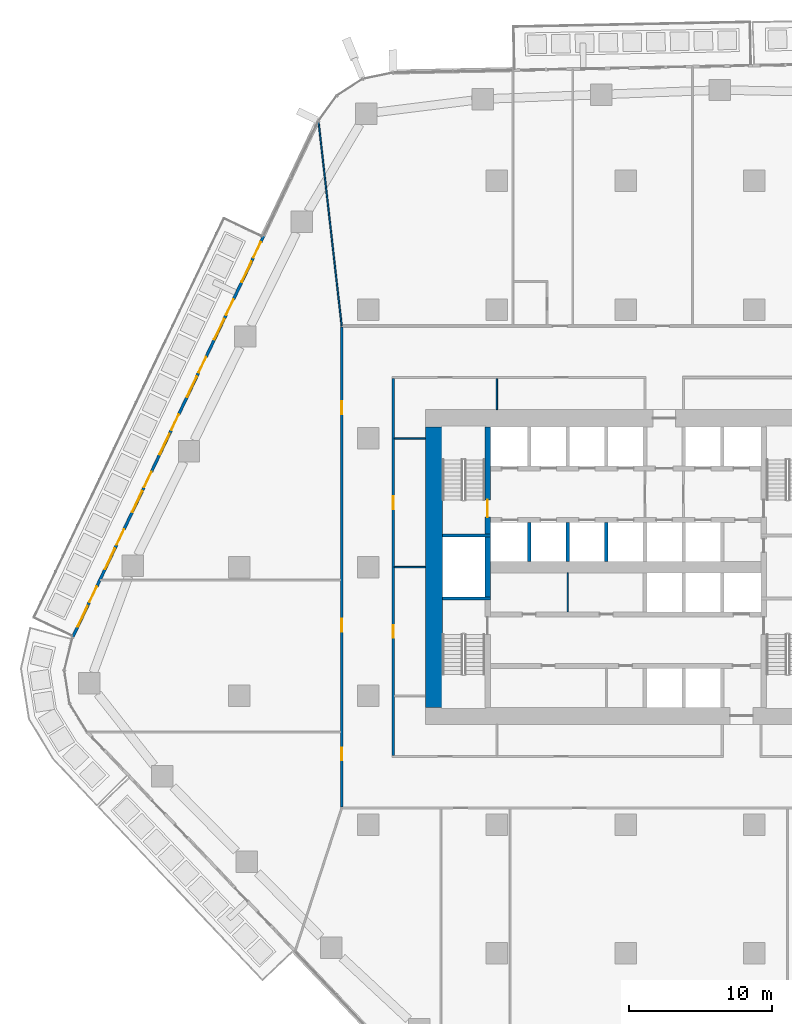
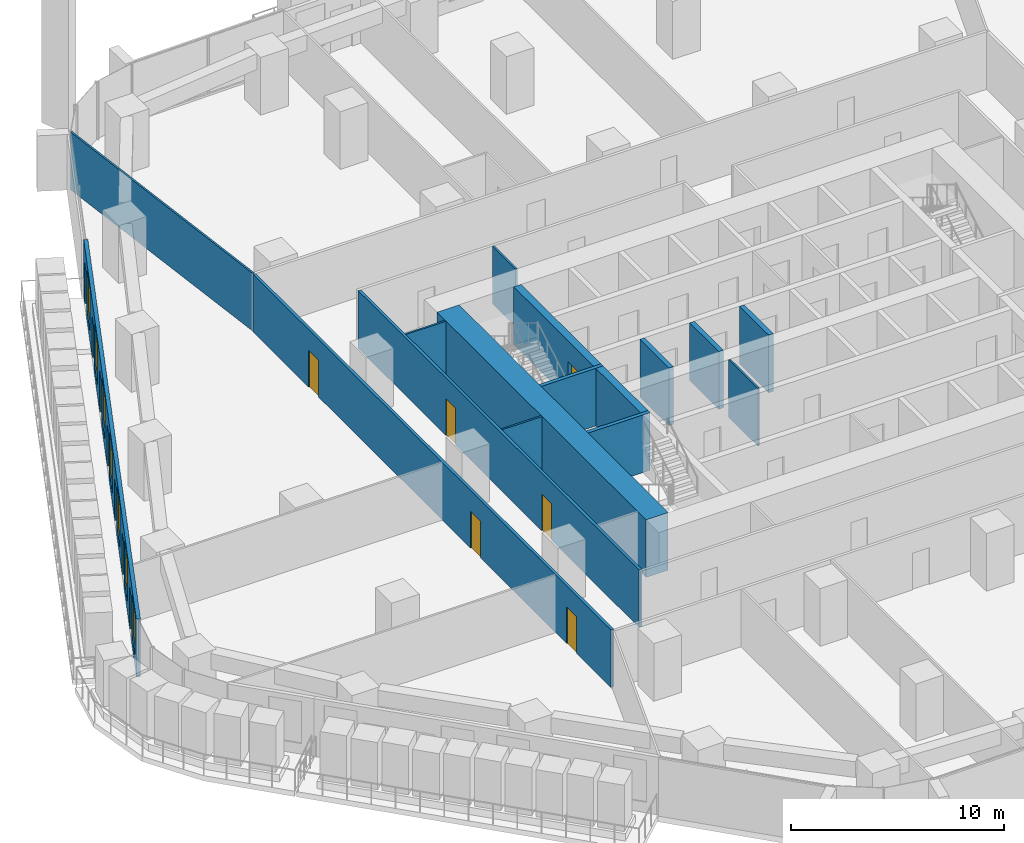
# One storey, part 13 of 24: 16 walls, 13 doors, 7 windows, 20 openings.
"""IFC4 building model written with IfcOpenShell, lengths in metres."""

from ifc_helpers import new_model, si_unit, direction, frame, frame_2d, origin, place, context, subcontext, project, spatial, rectangle, extrude, material, layer, layer_set, type_object, element, fill, save


model = new_model("IFC4")

# Units and contexts
model_context = context("Model", 3, precision=1e-05, world=origin(), true_north=direction((0.0, 1.0)))
body_context = subcontext(model_context, "Body", "Model", "MODEL_VIEW")
ifc_project = project(units=[si_unit("LENGTHUNIT", "METRE"), si_unit("AREAUNIT", "SQUARE_METRE"), si_unit("VOLUMEUNIT", "CUBIC_METRE"), si_unit("PLANEANGLEUNIT", "RADIAN"), si_unit("MASSUNIT", "GRAM", prefix="KILO")], contexts=[model_context])

# Site, building, storey
site_placement = place(None, origin())
site = spatial("IfcSite", under=ifc_project, at=site_placement, CompositionType="ELEMENT")
building_placement = place(site_placement, origin())
building = spatial("IfcBuilding", under=site, at=building_placement, Name="Dongbaek Canopy Tower", CompositionType="ELEMENT")
storey_placement = place(building_placement, frame((0.0, 0.0, 44.0)))
storey = spatial("IfcBuildingStorey", under=building, at=storey_placement, Name="L06", CompositionType="ELEMENT", Elevation=44.0)

# Wall
ifc_material_1 = material(Name="Concrete C60/75", Category="concrete")
ifc_layer_1 = layer(ifc_material_1, 1.199951171875)
ifc_layer_set_1 = layer_set([ifc_layer_1], Name="Core outer wall 1200 Concrete C60/75")
wall_type_1 = type_object("IfcWallType", Name="Core outer wall 1200 Concrete C60/75", PredefinedType="SHEAR", material=ifc_layer_set_1)
wall_1_placement = place(storey_placement, frame((-13.39990234375, -9.800048828125, 0.0), z_axis=(0.0, 0.0, 1.0), x_axis=(0.0, 1.0, 0.0)))
element("IfcWall", 1, at=wall_1_placement, inside=storey, type_object=wall_type_1, Name="Core wall", PredefinedType="SHEAR", context=body_context, shape_type="SweptSolid", body=[
    extrude(rectangle(XDim=19.60009765625, YDim=1.199951171875, at=frame_2d((9.800048828125, 0.0))), origin(), (0.0, 0.0, 1.0), 3.300048828125),
])

# Wall, openings, doors
ifc_material_2 = material(Name="Gypsum board partition, steel stud, 2 x 15 mm fire board", Category="steel")
ifc_layer_2 = layer(ifc_material_2, 0.14990234375)
ifc_layer_set_2 = layer_set([ifc_layer_2], Name="Fire-rated partition 150 gypsum board")
wall_type_2 = type_object("IfcWallType", Name="Fire-rated partition 150 gypsum board", PredefinedType="PARTITIONING", material=ifc_layer_set_2)
wall_2_placement = place(storey_placement, frame((-16.25, 13.175048828125, 0.0), z_axis=(0.0, 0.0, 1.0), x_axis=(0.0, -1.0, 0.0)))
wall_2 = element("IfcWall", 2, at=wall_2_placement, inside=storey, type_object=wall_type_2, Name="Corridor partition", PredefinedType="PARTITIONING", context=body_context, shape_type="SweptSolid", body=[
    extrude(rectangle(XDim=26.35009765625, YDim=0.14990234375, at=frame_2d((13.175048828125, 0.0))), origin(), (0.0, 0.0, 1.0), 3.300048828125),
])
opening_1_placement = place(wall_2_placement, frame((17.22509765625, 0.0, 0.0)))
opening_1 = element("IfcOpeningElement", 3, at=opening_1_placement, cuts=wall_2, Name="Opening L06-D018", PredefinedType="OPENING", context=body_context, shape_type="SweptSolid", body=[
    extrude(rectangle(XDim=0.89990234375, YDim=2.10009765625, at=frame_2d((0.449951171875, 1.050048828125))), frame((0.0, 0.0849609375, 0.0), z_axis=(0.0, -1.0, 0.0), x_axis=(1.0, 0.0, 0.0)), (0.0, 0.0, 1.0), 0.169921875),
])
opening_2_placement = place(wall_2_placement, frame((8.22509765625, 0.0, 0.0)))
opening_2 = element("IfcOpeningElement", 4, at=opening_2_placement, cuts=wall_2, Name="Opening L06-D026", PredefinedType="OPENING", context=body_context, shape_type="SweptSolid", body=[
    extrude(rectangle(XDim=0.89990234375, YDim=2.10009765625, at=frame_2d((0.449951171875, 1.050048828125))), frame((0.0, 0.0849609375, 0.0), z_axis=(0.0, -1.0, 0.0), x_axis=(1.0, 0.0, 0.0)), (0.0, 0.0, 1.0), 0.169921875),
])
ifc_material_3 = material(Name="Timber veneered door leaf", Category="wood")
door_type_1 = type_object("IfcDoorType", Name="Room door 900 x 2100", OperationType="SINGLE_SWING_LEFT", PredefinedType="DOOR", material=ifc_material_3)
door_1_placement = place(opening_1_placement, origin())
door_1 = element("IfcDoor", 5, at=door_1_placement, inside=storey, type_object=door_type_1, Name="Door L06-D018", OperationType="SINGLE_SWING_RIGHT", OverallHeight=2.10009765625, OverallWidth=0.89990234375, PredefinedType="DOOR", context=body_context, shape_type="SweptSolid", body=[
    extrude(rectangle(XDim=0.89990234375, YDim=2.10009765625, at=frame_2d((0.449951171875, 1.050048828125))), frame((0.0, 0.02490234375, 0.0), z_axis=(0.0, -1.0, 0.0), x_axis=(1.0, 0.0, 0.0)), (0.0, 0.0, 1.0), 0.050048828125),
])
fill(opening_1, door_1)
door_2_placement = place(opening_2_placement, origin())
door_2 = element("IfcDoor", 6, at=door_2_placement, inside=storey, type_object=door_type_1, Name="Door L06-D026", OperationType="SINGLE_SWING_RIGHT", OverallHeight=2.10009765625, OverallWidth=0.89990234375, PredefinedType="DOOR", context=body_context, shape_type="SweptSolid", body=[
    extrude(rectangle(XDim=0.89990234375, YDim=2.10009765625, at=frame_2d((0.449951171875, 1.050048828125))), frame((0.0, 0.02490234375, 0.0), z_axis=(0.0, -1.0, 0.0), x_axis=(1.0, 0.0, 0.0)), (0.0, 0.0, 1.0), 0.050048828125),
])
fill(opening_2, door_2)

wall_3_placement = place(storey_placement, frame((-19.85009765625, -16.77490234375, 0.0), z_axis=(0.0, 0.0, 1.0), x_axis=(0.0, 1.0, 0.0)))
wall_3 = element("IfcWall", 7, at=wall_3_placement, inside=storey, type_object=wall_type_2, Name="Corridor partition", PredefinedType="PARTITIONING", context=body_context, shape_type="SweptSolid", body=[
    extrude(rectangle(XDim=33.5498046875, YDim=0.14990234375, at=frame_2d((16.77490234375, 0.0))), origin(), (0.0, 0.0, 1.0), 3.300048828125),
])
opening_3_placement = place(wall_3_placement, frame((12.256103515625, 0.0, 0.0)))
opening_3 = element("IfcOpeningElement", 8, at=opening_3_placement, cuts=wall_3, Name="Opening L06-D001", PredefinedType="OPENING", context=body_context, shape_type="SweptSolid", body=[
    extrude(rectangle(XDim=0.89990234375, YDim=2.10009765625, at=frame_2d((0.449951171875, 1.050048828125))), frame((0.0, 0.0849609375, 0.0), z_axis=(0.0, -1.0, 0.0), x_axis=(1.0, 0.0, 0.0)), (0.0, 0.0, 1.0), 0.169921875),
])
opening_4_placement = place(wall_3_placement, frame((3.25439453125, 0.0, 0.0)))
opening_4 = element("IfcOpeningElement", 9, at=opening_4_placement, cuts=wall_3, Name="Opening L06-D002", PredefinedType="OPENING", context=body_context, shape_type="SweptSolid", body=[
    extrude(rectangle(XDim=0.89990234375, YDim=2.10009765625, at=frame_2d((0.449951171875, 1.050048828125))), frame((0.0, 0.0849609375, 0.0), z_axis=(0.0, -1.0, 0.0), x_axis=(1.0, 0.0, 0.0)), (0.0, 0.0, 1.0), 0.169921875),
])
opening_5_placement = place(wall_3_placement, frame((27.45068359375, 0.0, 0.0)))
opening_5 = element("IfcOpeningElement", 10, at=opening_5_placement, cuts=wall_3, Name="Opening L06-D017", PredefinedType="OPENING", context=body_context, shape_type="SweptSolid", body=[
    extrude(rectangle(XDim=0.89990234375, YDim=2.10009765625, at=frame_2d((0.449951171875, 1.050048828125))), frame((0.0, 0.0849609375, 0.0), z_axis=(0.0, -1.0, 0.0), x_axis=(1.0, 0.0, 0.0)), (0.0, 0.0, 1.0), 0.169921875),
])
door_3_placement = place(opening_3_placement, origin())
door_3 = element("IfcDoor", 11, at=door_3_placement, inside=storey, type_object=door_type_1, Name="Door L06-D001", OperationType="SINGLE_SWING_RIGHT", OverallHeight=2.10009765625, OverallWidth=0.89990234375, PredefinedType="DOOR", context=body_context, shape_type="SweptSolid", body=[
    extrude(rectangle(XDim=0.89990234375, YDim=2.10009765625, at=frame_2d((0.449951171875, 1.050048828125))), frame((0.0, 0.02490234375, 0.0), z_axis=(0.0, -1.0, 0.0), x_axis=(1.0, 0.0, 0.0)), (0.0, 0.0, 1.0), 0.050048828125),
])
fill(opening_3, door_3)
door_4_placement = place(opening_4_placement, origin())
door_4 = element("IfcDoor", 12, at=door_4_placement, inside=storey, type_object=door_type_1, Name="Door L06-D002", OperationType="SINGLE_SWING_LEFT", OverallHeight=2.10009765625, OverallWidth=0.89990234375, PredefinedType="DOOR", context=body_context, shape_type="SweptSolid", body=[
    extrude(rectangle(XDim=0.89990234375, YDim=2.10009765625, at=frame_2d((0.449951171875, 1.050048828125))), frame((0.0, 0.02490234375, 0.0), z_axis=(0.0, -1.0, 0.0), x_axis=(1.0, 0.0, 0.0)), (0.0, 0.0, 1.0), 0.050048828125),
])
fill(opening_4, door_4)
door_5_placement = place(opening_5_placement, origin())
door_5 = element("IfcDoor", 13, at=door_5_placement, inside=storey, type_object=door_type_1, Name="Door L06-D017", OperationType="SINGLE_SWING_LEFT", OverallHeight=2.10009765625, OverallWidth=0.89990234375, PredefinedType="DOOR", context=body_context, shape_type="SweptSolid", body=[
    extrude(rectangle(XDim=0.89990234375, YDim=2.10009765625, at=frame_2d((0.449951171875, 1.050048828125))), frame((0.0, 0.02490234375, 0.0), z_axis=(0.0, -1.0, 0.0), x_axis=(1.0, 0.0, 0.0)), (0.0, 0.0, 1.0), 0.050048828125),
])
fill(opening_5, door_5)

# Walls
ifc_material_4 = material(Name="Concrete C40/50", Category="concrete")
ifc_layer_3 = layer(ifc_material_4, 0.25)
ifc_layer_set_3 = layer_set([ifc_layer_3], Name="Lift shaft wall 250 Concrete C40/50")
wall_type_3 = type_object("IfcWallType", Name="Lift shaft wall 250 Concrete C40/50", PredefinedType="SOLIDWALL", material=ifc_layer_set_3)
for number, where, z_axis, x_axis, name in (
    (14, (-1.35009765625, 0.39990234375, 0.0), (0.0, 0.0, 1.0), (0.0, 1.0, 0.0), "Lift shaft wall"),
    (15, (-4.050048828125, 0.39990234375, 0.0), (0.0, 0.0, 1.0), (0.0, 1.0, 0.0), "Lift shaft wall"),
    (16, (-6.75, 0.39990234375, 0.0), (0.0, 0.0, 1.0), (0.0, 1.0, 0.0), "Lift shaft wall"),
):
    element("IfcWall", number, at=place(storey_placement, frame(where, z_axis=z_axis, x_axis=x_axis)), inside=storey, type_object=wall_type_3, Name=name, PredefinedType="SOLIDWALL", context=body_context, shape_type="SweptSolid", body=[
        extrude(rectangle(XDim=2.72509765625, YDim=0.25, at=frame_2d((1.362548828125, 0.0))), origin(), (0.0, 0.0, 1.0), 3.300048828125),
    ])
ifc_material_5 = material(Name="Gypsum board partition, steel stud, 2 x 12.5 mm board", Category="steel")
ifc_layer_4 = layer(ifc_material_5, 0.10009765625)
ifc_layer_set_4 = layer_set([ifc_layer_4], Name="Partition 100 gypsum board")
wall_type_4 = type_object("IfcWallType", Name="Partition 100 gypsum board", PredefinedType="PARTITIONING", material=ifc_layer_set_4)
for number, where, z_axis, x_axis, name in (
    (17, (-16.175048828125, 0.0, 0.0), (0.0, 0.0, 1.0), (1.0, 0.0, 0.0), "Partition"),
    (18, (-16.175048828125, 9.0, 0.0), (0.0, 0.0, 1.0), (1.0, 0.0, 0.0), "Partition"),
    (19, (-9.0, 11.0, 0.0), (0.0, 0.0, 1.0), (0.0, 1.0, 0.0), "Partition"),
):
    element("IfcWall", number, at=place(storey_placement, frame(where, z_axis=z_axis, x_axis=x_axis)), inside=storey, type_object=wall_type_4, Name=name, PredefinedType="PARTITIONING", context=body_context, shape_type="SweptSolid", body=[
        extrude(rectangle(XDim=2.175048828125, YDim=0.10009765625, at=frame_2d((1.08740234375, 0.0))), origin(), (0.0, 0.0, 1.0), 3.300048828125),
    ])
wall_4_placement = place(storey_placement, frame((-21.47216796875, 31.153076171875, 0.0), z_axis=(0.0, 0.0, 1.0), x_axis=(0.112685540228, -0.993630700524, 0.0)))
element("IfcWall", 20, at=wall_4_placement, inside=storey, type_object=wall_type_4, Name="Partition", PredefinedType="PARTITIONING", context=body_context, shape_type="SweptSolid", body=[
    extrude(rectangle(XDim=14.394775390625, YDim=0.10009765625, at=frame_2d((7.197265625, 0.0))), origin(), (0.0, 0.0, 1.0), 3.300048828125),
])
wall_5_placement = place(storey_placement, frame((-4.050048828125, -3.125, 0.0), z_axis=(0.0, 0.0, 1.0), x_axis=(0.0, 1.0, 0.0)))
element("IfcWall", 21, at=wall_5_placement, inside=storey, type_object=wall_type_4, Name="Core partition", PredefinedType="PARTITIONING", context=body_context, shape_type="SweptSolid", body=[
    extrude(rectangle(XDim=2.72509765625, YDim=0.10009765625, at=frame_2d((1.362548828125, 0.0))), origin(), (0.0, 0.0, 1.0), 3.300048828125),
])
ifc_material_6 = material(Name="Concrete C60/75", Category="concrete")
ifc_layer_5 = layer(ifc_material_6, 0.199951171875)
ifc_layer_set_5 = layer_set([ifc_layer_5], Name="Riser wall 200 Concrete C60/75")
wall_type_5 = type_object("IfcWallType", Name="Riser wall 200 Concrete C60/75", PredefinedType="SHEAR", material=ifc_layer_set_5)
for number, where, z_axis, x_axis, name in (
    (22, (-9.449951171875, 2.199951171875, 0.0), (0.0, 0.0, 1.0), (-1.0, 0.0, 0.0), "Riser wall"),
    (23, (-9.449951171875, -2.199951171875, 0.0), (0.0, 0.0, 1.0), (-1.0, 0.0, 0.0), "Riser wall"),
):
    element("IfcWall", number, at=place(storey_placement, frame(where, z_axis=z_axis, x_axis=x_axis)), inside=storey, type_object=wall_type_5, Name=name, PredefinedType="SHEAR", context=body_context, shape_type="SweptSolid", body=[
        extrude(rectangle(XDim=3.35009765625, YDim=0.199951171875, at=frame_2d((1.675048828125, 0.0))), origin(), (0.0, 0.0, 1.0), 3.300048828125),
    ])
ifc_material_7 = material(Name="Concrete C60/75", Category="concrete")
ifc_layer_6 = layer(ifc_material_7, 0.39990234375)
ifc_layer_set_6 = layer_set([ifc_layer_6], Name="Stair wall 400 Concrete C60/75")
wall_type_6 = type_object("IfcWallType", Name="Stair wall 400 Concrete C60/75", PredefinedType="SHEAR", material=ifc_layer_set_6)
wall_6_placement = place(storey_placement, frame((-9.64990234375, -2.10009765625, 0.0), z_axis=(0.0, 0.0, 1.0), x_axis=(0.0, 1.0, 0.0)))
element("IfcWall", 24, at=wall_6_placement, inside=storey, type_object=wall_type_6, Name="Stair wall", PredefinedType="SHEAR", context=body_context, shape_type="SweptSolid", body=[
    extrude(rectangle(XDim=4.2001953125, YDim=0.39990234375, at=frame_2d((2.10009765625, 0.0))), origin(), (0.0, 0.0, 1.0), 3.300048828125),
])

# Wall, opening, door
wall_7_placement = place(storey_placement, frame((-9.64990234375, 2.300048828125, 0.0), z_axis=(0.0, 0.0, 1.0), x_axis=(0.0, 1.0, 0.0)))
wall_7 = element("IfcWall", 25, at=wall_7_placement, inside=storey, type_object=wall_type_6, Name="Stair wall", PredefinedType="SHEAR", context=body_context, shape_type="SweptSolid", body=[
    extrude(rectangle(XDim=7.5, YDim=0.39990234375, at=frame_2d((3.75, 0.0))), origin(), (0.0, 0.0, 1.0), 3.300048828125),
])
opening_6_placement = place(wall_7_placement, frame((1.199951171875, 0.0, 0.0)))
opening_6 = element("IfcOpeningElement", 26, at=opening_6_placement, cuts=wall_7, Name="Opening L06-D051", PredefinedType="OPENING", context=body_context, shape_type="SweptSolid", body=[
    extrude(rectangle(XDim=1.199951171875, YDim=2.10009765625, at=frame_2d((0.60009765625, 1.050048828125))), frame((0.0, 0.2099609375, 0.0), z_axis=(0.0, -1.0, 0.0), x_axis=(1.0, 0.0, 0.0)), (0.0, 0.0, 1.0), 0.419921875),
])
ifc_material_8 = material(Name="Steel", Category="steel")
door_type_2 = type_object("IfcDoorType", Name="Stair door 1200 x 2100", OperationType="SINGLE_SWING_LEFT", PredefinedType="DOOR", material=ifc_material_8)
door_6_placement = place(opening_6_placement, origin())
door_6 = element("IfcDoor", 27, at=door_6_placement, inside=storey, type_object=door_type_2, Name="Stair C door", OperationType="SINGLE_SWING_RIGHT", OverallHeight=2.10009765625, OverallWidth=1.199951171875, PredefinedType="DOOR", context=body_context, shape_type="SweptSolid", body=[
    extrude(rectangle(XDim=1.199951171875, YDim=2.10009765625, at=frame_2d((0.60009765625, 1.050048828125))), frame((0.0, 0.02490234375, 0.0), z_axis=(0.0, -1.0, 0.0), x_axis=(1.0, 0.0, 0.0)), (0.0, 0.0, 1.0), 0.050048828125),
])
fill(opening_6, door_6)

# Wall, openings, doors, windows
ifc_material_9 = material(Name="Aluminium window wall", Category="aluminium")
ifc_layer_7 = layer(ifc_material_9, 0.199951171875)
ifc_layer_set_7 = layer_set([ifc_layer_7], Name="Window wall 200")
wall_type_7 = type_object("IfcWallType", Name="Window wall 200", PredefinedType="SOLIDWALL", material=ifc_layer_set_7)
wall_8_placement = place(storey_placement, frame((-25.294677734375, 23.16796875, 0.0), z_axis=(0.0, 0.0, 1.0), x_axis=(-0.429791665344, -0.902928083737, 0.0)))
wall_8 = element("IfcWall", 28, at=wall_8_placement, inside=storey, type_object=wall_type_7, Name="Window wall L06 2", PredefinedType="SOLIDWALL", context=body_context, shape_type="SweptSolid", body=[
    extrude(rectangle(XDim=31.11962890625, YDim=0.199951171875, at=frame_2d((15.559814453125, 0.0))), origin(), (0.0, 0.0, 1.0), 3.300048828125),
])
opening_7_placement = place(wall_8_placement, frame((2.0, 0.0, 0.60009765625)))
opening_7 = element("IfcOpeningElement", 29, at=opening_7_placement, cuts=wall_8, Name="Opening W1", PredefinedType="OPENING", context=body_context, shape_type="SweptSolid", body=[
    extrude(rectangle(XDim=1.60009765625, YDim=2.39990234375, at=frame_2d((0.800048828125, 1.199951171875))), frame((0.0, 0.10986328125, 0.0), z_axis=(0.0, -1.0, 0.0), x_axis=(1.0, 0.0, 0.0)), (0.0, 0.0, 1.0), 0.219970703125),
])
opening_8_placement = place(wall_8_placement, frame((0.5, 0.0, 0.0)))
opening_8 = element("IfcOpeningElement", 30, at=opening_8_placement, cuts=wall_8, Name="Opening L06-B06", PredefinedType="OPENING", context=body_context, shape_type="SweptSolid", body=[
    extrude(rectangle(XDim=1.199951171875, YDim=2.39990234375, at=frame_2d((0.60009765625, 1.199951171875))), frame((0.0, 0.10986328125, 0.0), z_axis=(0.0, -1.0, 0.0), x_axis=(1.0, 0.0, 0.0)), (0.0, 0.0, 1.0), 0.219970703125),
])
opening_9_placement = place(wall_8_placement, frame((6.44580078125, 0.0, 0.60009765625)))
opening_9 = element("IfcOpeningElement", 31, at=opening_9_placement, cuts=wall_8, Name="Opening W1", PredefinedType="OPENING", context=body_context, shape_type="SweptSolid", body=[
    extrude(rectangle(XDim=1.60009765625, YDim=2.39990234375, at=frame_2d((0.800048828125, 1.199951171875))), frame((0.0, 0.10986328125, 0.0), z_axis=(0.0, -1.0, 0.0), x_axis=(1.0, 0.0, 0.0)), (0.0, 0.0, 1.0), 0.219970703125),
])
opening_10_placement = place(wall_8_placement, frame((4.94580078125, 0.0, 0.0)))
opening_10 = element("IfcOpeningElement", 32, at=opening_10_placement, cuts=wall_8, Name="Opening L06-B07", PredefinedType="OPENING", context=body_context, shape_type="SweptSolid", body=[
    extrude(rectangle(XDim=1.199951171875, YDim=2.39990234375, at=frame_2d((0.60009765625, 1.199951171875))), frame((0.0, 0.10986328125, 0.0), z_axis=(0.0, -1.0, 0.0), x_axis=(1.0, 0.0, 0.0)), (0.0, 0.0, 1.0), 0.219970703125),
])
opening_11_placement = place(wall_8_placement, frame((10.891357421875, 0.0, 0.60009765625)))
opening_11 = element("IfcOpeningElement", 33, at=opening_11_placement, cuts=wall_8, Name="Opening W1", PredefinedType="OPENING", context=body_context, shape_type="SweptSolid", body=[
    extrude(rectangle(XDim=1.60009765625, YDim=2.39990234375, at=frame_2d((0.800048828125, 1.199951171875))), frame((0.0, 0.10986328125, 0.0), z_axis=(0.0, -1.0, 0.0), x_axis=(1.0, 0.0, 0.0)), (0.0, 0.0, 1.0), 0.219970703125),
])
opening_12_placement = place(wall_8_placement, frame((9.391357421875, 0.0, 0.0)))
opening_12 = element("IfcOpeningElement", 34, at=opening_12_placement, cuts=wall_8, Name="Opening L06-B08", PredefinedType="OPENING", context=body_context, shape_type="SweptSolid", body=[
    extrude(rectangle(XDim=1.199951171875, YDim=2.39990234375, at=frame_2d((0.60009765625, 1.199951171875))), frame((0.0, 0.10986328125, 0.0), z_axis=(0.0, -1.0, 0.0), x_axis=(1.0, 0.0, 0.0)), (0.0, 0.0, 1.0), 0.219970703125),
])
opening_13_placement = place(wall_8_placement, frame((15.337158203125, 0.0, 0.60009765625)))
opening_13 = element("IfcOpeningElement", 35, at=opening_13_placement, cuts=wall_8, Name="Opening W1", PredefinedType="OPENING", context=body_context, shape_type="SweptSolid", body=[
    extrude(rectangle(XDim=1.60009765625, YDim=2.39990234375, at=frame_2d((0.800048828125, 1.199951171875))), frame((0.0, 0.10986328125, 0.0), z_axis=(0.0, -1.0, 0.0), x_axis=(1.0, 0.0, 0.0)), (0.0, 0.0, 1.0), 0.219970703125),
])
opening_14_placement = place(wall_8_placement, frame((13.837158203125, 0.0, 0.0)))
opening_14 = element("IfcOpeningElement", 36, at=opening_14_placement, cuts=wall_8, Name="Opening L06-B09", PredefinedType="OPENING", context=body_context, shape_type="SweptSolid", body=[
    extrude(rectangle(XDim=1.199951171875, YDim=2.39990234375, at=frame_2d((0.60009765625, 1.199951171875))), frame((0.0, 0.10986328125, 0.0), z_axis=(0.0, -1.0, 0.0), x_axis=(1.0, 0.0, 0.0)), (0.0, 0.0, 1.0), 0.219970703125),
])
opening_15_placement = place(wall_8_placement, frame((19.78271484375, 0.0, 0.60009765625)))
opening_15 = element("IfcOpeningElement", 37, at=opening_15_placement, cuts=wall_8, Name="Opening W1", PredefinedType="OPENING", context=body_context, shape_type="SweptSolid", body=[
    extrude(rectangle(XDim=1.60009765625, YDim=2.39990234375, at=frame_2d((0.800048828125, 1.199951171875))), frame((0.0, 0.10986328125, 0.0), z_axis=(0.0, -1.0, 0.0), x_axis=(1.0, 0.0, 0.0)), (0.0, 0.0, 1.0), 0.219970703125),
])
opening_16_placement = place(wall_8_placement, frame((18.28271484375, 0.0, 0.0)))
opening_16 = element("IfcOpeningElement", 38, at=opening_16_placement, cuts=wall_8, Name="Opening L06-B10", PredefinedType="OPENING", context=body_context, shape_type="SweptSolid", body=[
    extrude(rectangle(XDim=1.199951171875, YDim=2.39990234375, at=frame_2d((0.60009765625, 1.199951171875))), frame((0.0, 0.10986328125, 0.0), z_axis=(0.0, -1.0, 0.0), x_axis=(1.0, 0.0, 0.0)), (0.0, 0.0, 1.0), 0.219970703125),
])
opening_17_placement = place(wall_8_placement, frame((24.228515625, 0.0, 0.60009765625)))
opening_17 = element("IfcOpeningElement", 39, at=opening_17_placement, cuts=wall_8, Name="Opening W1", PredefinedType="OPENING", context=body_context, shape_type="SweptSolid", body=[
    extrude(rectangle(XDim=1.60009765625, YDim=2.39990234375, at=frame_2d((0.800048828125, 1.199951171875))), frame((0.0, 0.10986328125, 0.0), z_axis=(0.0, -1.0, 0.0), x_axis=(1.0, 0.0, 0.0)), (0.0, 0.0, 1.0), 0.219970703125),
])
opening_18_placement = place(wall_8_placement, frame((22.728515625, 0.0, 0.0)))
opening_18 = element("IfcOpeningElement", 40, at=opening_18_placement, cuts=wall_8, Name="Opening L06-B11", PredefinedType="OPENING", context=body_context, shape_type="SweptSolid", body=[
    extrude(rectangle(XDim=1.199951171875, YDim=2.39990234375, at=frame_2d((0.60009765625, 1.199951171875))), frame((0.0, 0.10986328125, 0.0), z_axis=(0.0, -1.0, 0.0), x_axis=(1.0, 0.0, 0.0)), (0.0, 0.0, 1.0), 0.219970703125),
])
opening_19_placement = place(wall_8_placement, frame((28.67431640625, 0.0, 0.60009765625)))
opening_19 = element("IfcOpeningElement", 41, at=opening_19_placement, cuts=wall_8, Name="Opening W1", PredefinedType="OPENING", context=body_context, shape_type="SweptSolid", body=[
    extrude(rectangle(XDim=1.60009765625, YDim=2.39990234375, at=frame_2d((0.800048828125, 1.199951171875))), frame((0.0, 0.10986328125, 0.0), z_axis=(0.0, -1.0, 0.0), x_axis=(1.0, 0.0, 0.0)), (0.0, 0.0, 1.0), 0.219970703125),
])
opening_20_placement = place(wall_8_placement, frame((27.17431640625, 0.0, 0.0)))
opening_20 = element("IfcOpeningElement", 42, at=opening_20_placement, cuts=wall_8, Name="Opening L06-B12", PredefinedType="OPENING", context=body_context, shape_type="SweptSolid", body=[
    extrude(rectangle(XDim=1.199951171875, YDim=2.39990234375, at=frame_2d((0.60009765625, 1.199951171875))), frame((0.0, 0.10986328125, 0.0), z_axis=(0.0, -1.0, 0.0), x_axis=(1.0, 0.0, 0.0)), (0.0, 0.0, 1.0), 0.219970703125),
])
ifc_material_10 = material(Name="Clear glazing in aluminium frame", Category="aluminium")
door_type_3 = type_object("IfcDoorType", Name="Balcony door BD1 1200 x 2400", OperationType="SLIDING_TO_LEFT", PredefinedType="DOOR", material=ifc_material_10)
door_7_placement = place(opening_8_placement, origin())
door_7 = element("IfcDoor", 43, at=door_7_placement, inside=storey, type_object=door_type_3, Name="Balcony door L06-B06", OperationType="SLIDING_TO_LEFT", OverallHeight=2.39990234375, OverallWidth=1.199951171875, PredefinedType="DOOR", context=body_context, shape_type="SweptSolid", body=[
    extrude(rectangle(XDim=1.199951171875, YDim=2.39990234375, at=frame_2d((0.60009765625, 1.199951171875))), frame((0.0, 0.02490234375, 0.0), z_axis=(0.0, -1.0, 0.0), x_axis=(1.0, 0.0, 0.0)), (0.0, 0.0, 1.0), 0.050048828125),
])
fill(opening_8, door_7)
door_8_placement = place(opening_10_placement, origin())
door_8 = element("IfcDoor", 44, at=door_8_placement, inside=storey, type_object=door_type_3, Name="Balcony door L06-B07", OperationType="SLIDING_TO_LEFT", OverallHeight=2.39990234375, OverallWidth=1.199951171875, PredefinedType="DOOR", context=body_context, shape_type="SweptSolid", body=[
    extrude(rectangle(XDim=1.199951171875, YDim=2.39990234375, at=frame_2d((0.60009765625, 1.199951171875))), frame((0.0, 0.02490234375, 0.0), z_axis=(0.0, -1.0, 0.0), x_axis=(1.0, 0.0, 0.0)), (0.0, 0.0, 1.0), 0.050048828125),
])
fill(opening_10, door_8)
door_9_placement = place(opening_12_placement, origin())
door_9 = element("IfcDoor", 45, at=door_9_placement, inside=storey, type_object=door_type_3, Name="Balcony door L06-B08", OperationType="SLIDING_TO_LEFT", OverallHeight=2.39990234375, OverallWidth=1.199951171875, PredefinedType="DOOR", context=body_context, shape_type="SweptSolid", body=[
    extrude(rectangle(XDim=1.199951171875, YDim=2.39990234375, at=frame_2d((0.60009765625, 1.199951171875))), frame((0.0, 0.02490234375, 0.0), z_axis=(0.0, -1.0, 0.0), x_axis=(1.0, 0.0, 0.0)), (0.0, 0.0, 1.0), 0.050048828125),
])
fill(opening_12, door_9)
door_10_placement = place(opening_14_placement, origin())
door_10 = element("IfcDoor", 46, at=door_10_placement, inside=storey, type_object=door_type_3, Name="Balcony door L06-B09", OperationType="SLIDING_TO_LEFT", OverallHeight=2.39990234375, OverallWidth=1.199951171875, PredefinedType="DOOR", context=body_context, shape_type="SweptSolid", body=[
    extrude(rectangle(XDim=1.199951171875, YDim=2.39990234375, at=frame_2d((0.60009765625, 1.199951171875))), frame((0.0, 0.02490234375, 0.0), z_axis=(0.0, -1.0, 0.0), x_axis=(1.0, 0.0, 0.0)), (0.0, 0.0, 1.0), 0.050048828125),
])
fill(opening_14, door_10)
door_11_placement = place(opening_16_placement, origin())
door_11 = element("IfcDoor", 47, at=door_11_placement, inside=storey, type_object=door_type_3, Name="Balcony door L06-B10", OperationType="SLIDING_TO_LEFT", OverallHeight=2.39990234375, OverallWidth=1.199951171875, PredefinedType="DOOR", context=body_context, shape_type="SweptSolid", body=[
    extrude(rectangle(XDim=1.199951171875, YDim=2.39990234375, at=frame_2d((0.60009765625, 1.199951171875))), frame((0.0, 0.02490234375, 0.0), z_axis=(0.0, -1.0, 0.0), x_axis=(1.0, 0.0, 0.0)), (0.0, 0.0, 1.0), 0.050048828125),
])
fill(opening_16, door_11)
door_12_placement = place(opening_18_placement, origin())
door_12 = element("IfcDoor", 48, at=door_12_placement, inside=storey, type_object=door_type_3, Name="Balcony door L06-B11", OperationType="SLIDING_TO_LEFT", OverallHeight=2.39990234375, OverallWidth=1.199951171875, PredefinedType="DOOR", context=body_context, shape_type="SweptSolid", body=[
    extrude(rectangle(XDim=1.199951171875, YDim=2.39990234375, at=frame_2d((0.60009765625, 1.199951171875))), frame((0.0, 0.02490234375, 0.0), z_axis=(0.0, -1.0, 0.0), x_axis=(1.0, 0.0, 0.0)), (0.0, 0.0, 1.0), 0.050048828125),
])
fill(opening_18, door_12)
door_13_placement = place(opening_20_placement, origin())
door_13 = element("IfcDoor", 49, at=door_13_placement, inside=storey, type_object=door_type_3, Name="Balcony door L06-B12", OperationType="SLIDING_TO_LEFT", OverallHeight=2.39990234375, OverallWidth=1.199951171875, PredefinedType="DOOR", context=body_context, shape_type="SweptSolid", body=[
    extrude(rectangle(XDim=1.199951171875, YDim=2.39990234375, at=frame_2d((0.60009765625, 1.199951171875))), frame((0.0, 0.02490234375, 0.0), z_axis=(0.0, -1.0, 0.0), x_axis=(1.0, 0.0, 0.0)), (0.0, 0.0, 1.0), 0.050048828125),
])
fill(opening_20, door_13)
ifc_material_11 = material(Name="Clear glazing in aluminium frame", Category="aluminium")
window_type = type_object("IfcWindowType", Name="Window W1 1600 x 2400", PartitioningType="SINGLE_PANEL", PredefinedType="WINDOW", material=ifc_material_11)
window_1_placement = place(opening_7_placement, origin())
window_1 = element("IfcWindow", 50, at=window_1_placement, inside=storey, type_object=window_type, Name="Window L06 2.1", OverallHeight=2.39990234375, OverallWidth=1.60009765625, PartitioningType="SINGLE_PANEL", PredefinedType="WINDOW", context=body_context, shape_type="SweptSolid", body=[
    extrude(rectangle(XDim=1.60009765625, YDim=2.39990234375, at=frame_2d((0.800048828125, 1.199951171875))), frame((0.0, 0.030029296875, 0.0), z_axis=(0.0, -1.0, 0.0), x_axis=(1.0, 0.0, 0.0)), (0.0, 0.0, 1.0), 0.06005859375),
])
fill(opening_7, window_1)
window_2_placement = place(opening_9_placement, origin())
window_2 = element("IfcWindow", 51, at=window_2_placement, inside=storey, type_object=window_type, Name="Window L06 2.2", OverallHeight=2.39990234375, OverallWidth=1.60009765625, PartitioningType="SINGLE_PANEL", PredefinedType="WINDOW", context=body_context, shape_type="SweptSolid", body=[
    extrude(rectangle(XDim=1.60009765625, YDim=2.39990234375, at=frame_2d((0.800048828125, 1.199951171875))), frame((0.0, 0.030029296875, 0.0), z_axis=(0.0, -1.0, 0.0), x_axis=(1.0, 0.0, 0.0)), (0.0, 0.0, 1.0), 0.06005859375),
])
fill(opening_9, window_2)
window_3_placement = place(opening_11_placement, origin())
window_3 = element("IfcWindow", 52, at=window_3_placement, inside=storey, type_object=window_type, Name="Window L06 2.3", OverallHeight=2.39990234375, OverallWidth=1.60009765625, PartitioningType="SINGLE_PANEL", PredefinedType="WINDOW", context=body_context, shape_type="SweptSolid", body=[
    extrude(rectangle(XDim=1.60009765625, YDim=2.39990234375, at=frame_2d((0.800048828125, 1.199951171875))), frame((0.0, 0.030029296875, 0.0), z_axis=(0.0, -1.0, 0.0), x_axis=(1.0, 0.0, 0.0)), (0.0, 0.0, 1.0), 0.06005859375),
])
fill(opening_11, window_3)
window_4_placement = place(opening_13_placement, origin())
window_4 = element("IfcWindow", 53, at=window_4_placement, inside=storey, type_object=window_type, Name="Window L06 2.4", OverallHeight=2.39990234375, OverallWidth=1.60009765625, PartitioningType="SINGLE_PANEL", PredefinedType="WINDOW", context=body_context, shape_type="SweptSolid", body=[
    extrude(rectangle(XDim=1.60009765625, YDim=2.39990234375, at=frame_2d((0.800048828125, 1.199951171875))), frame((0.0, 0.030029296875, 0.0), z_axis=(0.0, -1.0, 0.0), x_axis=(1.0, 0.0, 0.0)), (0.0, 0.0, 1.0), 0.06005859375),
])
fill(opening_13, window_4)
window_5_placement = place(opening_15_placement, origin())
window_5 = element("IfcWindow", 54, at=window_5_placement, inside=storey, type_object=window_type, Name="Window L06 2.5", OverallHeight=2.39990234375, OverallWidth=1.60009765625, PartitioningType="SINGLE_PANEL", PredefinedType="WINDOW", context=body_context, shape_type="SweptSolid", body=[
    extrude(rectangle(XDim=1.60009765625, YDim=2.39990234375, at=frame_2d((0.800048828125, 1.199951171875))), frame((0.0, 0.030029296875, 0.0), z_axis=(0.0, -1.0, 0.0), x_axis=(1.0, 0.0, 0.0)), (0.0, 0.0, 1.0), 0.06005859375),
])
fill(opening_15, window_5)
window_6_placement = place(opening_17_placement, origin())
window_6 = element("IfcWindow", 55, at=window_6_placement, inside=storey, type_object=window_type, Name="Window L06 2.6", OverallHeight=2.39990234375, OverallWidth=1.60009765625, PartitioningType="SINGLE_PANEL", PredefinedType="WINDOW", context=body_context, shape_type="SweptSolid", body=[
    extrude(rectangle(XDim=1.60009765625, YDim=2.39990234375, at=frame_2d((0.800048828125, 1.199951171875))), frame((0.0, 0.030029296875, 0.0), z_axis=(0.0, -1.0, 0.0), x_axis=(1.0, 0.0, 0.0)), (0.0, 0.0, 1.0), 0.06005859375),
])
fill(opening_17, window_6)
window_7_placement = place(opening_19_placement, origin())
window_7 = element("IfcWindow", 56, at=window_7_placement, inside=storey, type_object=window_type, Name="Window L06 2.7", OverallHeight=2.39990234375, OverallWidth=1.60009765625, PartitioningType="SINGLE_PANEL", PredefinedType="WINDOW", context=body_context, shape_type="SweptSolid", body=[
    extrude(rectangle(XDim=1.60009765625, YDim=2.39990234375, at=frame_2d((0.800048828125, 1.199951171875))), frame((0.0, 0.030029296875, 0.0), z_axis=(0.0, -1.0, 0.0), x_axis=(1.0, 0.0, 0.0)), (0.0, 0.0, 1.0), 0.06005859375),
])
fill(opening_19, window_7)

save(model, "model.ifc")
